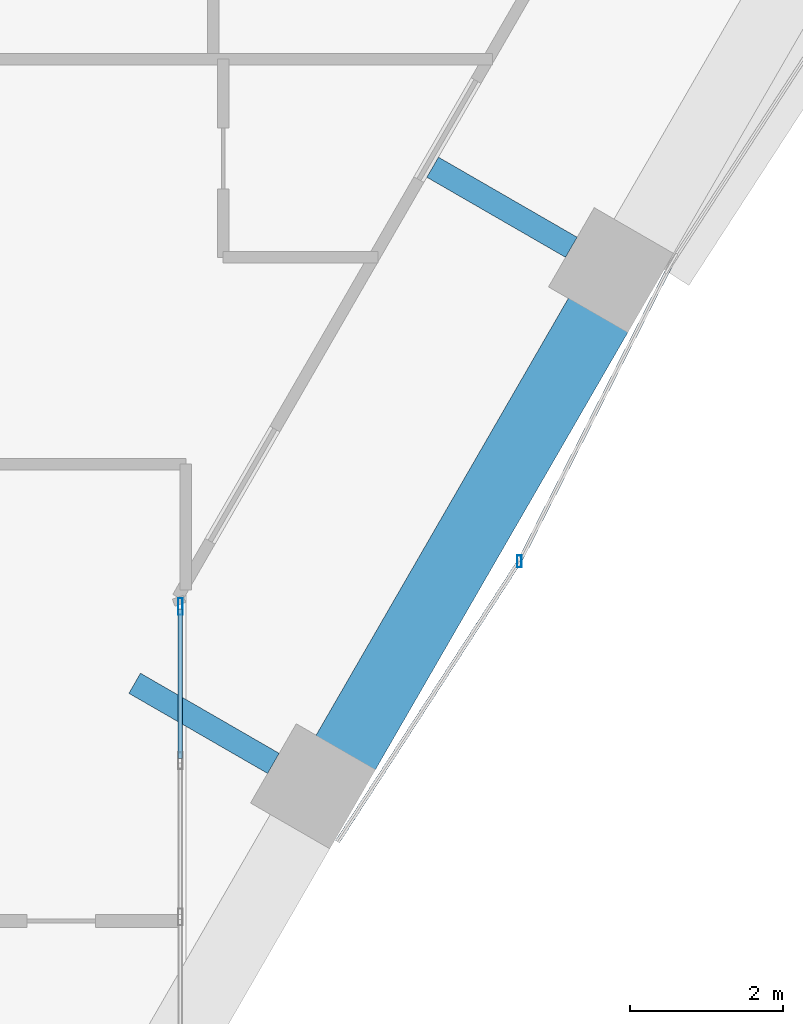
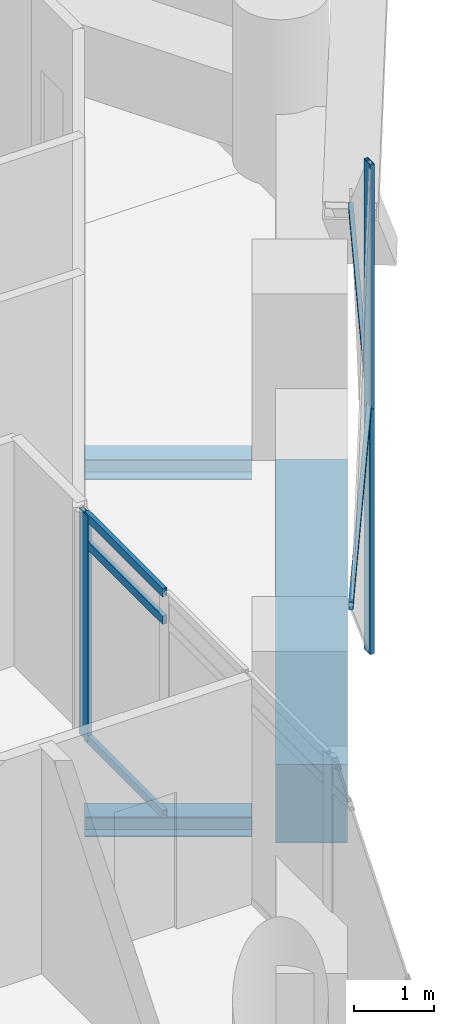
# One storey, part 12 of 36: 8 members, 3 beams, 3 elements without a shape of their own.
"""IFC4 building model written with IfcOpenShell, lengths in metres."""

import ifcopenshell
import ifcopenshell.guid

model = None  # the IFC model being written
_history = None  # IfcOwnerHistory: only IFC2X3 demands one
_inside = {}  # id of a spatial element -> (the spatial element, [elements in it])
_under = {}  # id of a project, library or spatial element -> (it, [spatial elements below it])
_declared = {}  # id of a project -> (the project, [libraries it declares])
_typed = {}  # id of a type object -> (the type object, [elements of that type])
_made_of = {}  # id of a material, layer set ... -> (it, [elements and type objects made of it])


def new_model(schema):
    """Start an empty IFC model of exactly this schema.

    Asked for "IFC4X3", IfcOpenShell would pick the latest addendum, in which some entities
    have other attributes; the version numbers below select the first issue.
    IFC2X3 requires an IfcOwnerHistory on every rooted entity: one is made here for all.
    """
    global model, _history
    if schema == "IFC4X3":
        model = ifcopenshell.file(schema_version=(4, 3, 0, 0))
    else:
        model = ifcopenshell.file(schema=schema)
    _inside.clear()
    _under.clear()
    _declared.clear()
    _typed.clear()
    _made_of.clear()
    _history = None
    if model.schema == "IFC2X3":
        org = make("IfcOrganization", Name="unknown")
        user = make(
            "IfcPersonAndOrganization",
            ThePerson=make("IfcPerson", FamilyName="unknown"),
            TheOrganization=org,
        )
        app = make(
            "IfcApplication",
            ApplicationDeveloper=org,
            Version="unknown",
            ApplicationFullName="unknown",
            ApplicationIdentifier="unknown",
        )
        _history = make(
            "IfcOwnerHistory",
            OwningUser=user,
            OwningApplication=app,
            ChangeAction="ADDED",
            CreationDate=0,
        )
    return model


def make(cls, **values):
    """One entity of the class cls with the attributes given. An attribute that is None is left unset."""
    return model.create_entity(
        cls, **{name: value for name, value in values.items() if value is not None}
    )


def rooted(cls, **values):
    """An entity with a GlobalId (a new one), such as an element, a storey or a relation."""
    return make(cls, GlobalId=ifcopenshell.guid.new(), OwnerHistory=_history, **values)


def si_unit(unit_type, name, prefix=None):
    """IfcSIUnit, for example si_unit("LENGTHUNIT", "METRE", prefix="MILLI")."""
    return make("IfcSIUnit", UnitType=unit_type, Prefix=prefix, Name=name)


def assignment(units):
    """IfcUnitAssignment: the units of a project."""
    return None if units is None else make("IfcUnitAssignment", Units=units)


def point(xyz):
    """IfcCartesianPoint."""
    return None if xyz is None else make("IfcCartesianPoint", Coordinates=xyz)


def direction(xyz):
    """IfcDirection."""
    return None if xyz is None else make("IfcDirection", DirectionRatios=xyz)


def frame(location, z_axis=None, x_axis=None):
    """IfcAxis2Placement3D, a coordinate frame: its origin and axes. An axis left out is left unset."""
    return make(
        "IfcAxis2Placement3D",
        Location=point(location),
        Axis=direction(z_axis),
        RefDirection=direction(x_axis),
    )


def frame_2d(location, x_axis=None):
    """IfcAxis2Placement2D, a coordinate frame in the plane: its origin and x axis."""
    return make(
        "IfcAxis2Placement2D", Location=point(location), RefDirection=direction(x_axis)
    )


def origin():
    """The frame at (0, 0, 0) with its axes left unset."""
    return frame((0.0, 0.0, 0.0))


def origin_2d():
    """The frame at (0, 0) in the plane with its x axis left unset."""
    return frame_2d((0.0, 0.0))


def place(relative_to, where):
    """IfcLocalPlacement: puts the frame where relative to a parent placement (None: the world)."""
    return make(
        "IfcLocalPlacement", PlacementRelTo=relative_to, RelativePlacement=where
    )


def context(
    kind, dimensions, precision=None, world=None, true_north=None, identifier=None
):
    """IfcGeometricRepresentationContext, for example the 3D "Model" context."""
    return make(
        "IfcGeometricRepresentationContext",
        ContextIdentifier=identifier,
        ContextType=kind,
        CoordinateSpaceDimension=dimensions,
        Precision=precision,
        WorldCoordinateSystem=world,
        TrueNorth=true_north,
    )


def subcontext(parent, identifier, kind, view, scale=None):
    """IfcGeometricRepresentationSubContext, for example "Body" below "Model"."""
    return make(
        "IfcGeometricRepresentationSubContext",
        ContextIdentifier=identifier,
        ContextType=kind,
        ParentContext=parent,
        TargetScale=scale,
        TargetView=view,
    )


def project(units=None, contexts=None):
    """IfcProject with its units and contexts."""
    return rooted(
        "IfcProject",
        Name="project",
        RepresentationContexts=contexts,
        UnitsInContext=assignment(units),
    )


def spatial(cls, under=None, at=None, **own):
    """A site, building, storey or space (cls), placed at a placement, below another one or the project."""
    s = rooted(cls, ObjectPlacement=at, **own)
    if under is not None:
        _under.setdefault(under.id(), (under, []))[1].append(s)
    return s


def profile(cls, at=None, kind="AREA", **sizes):
    """A parametric profile (cls). Its sizes go by their IFC names, for example OverallWidth=200.0."""
    return make(cls, ProfileType=kind, Position=at, **sizes)


def rectangle(**sizes):
    """IfcRectangleProfileDef."""
    return profile("IfcRectangleProfileDef", **sizes)


def hollow_rectangle(**sizes):
    """IfcRectangleHollowProfileDef."""
    return profile("IfcRectangleHollowProfileDef", **sizes)


def i_section(**sizes):
    """IfcIShapeProfileDef."""
    return profile("IfcIShapeProfileDef", **sizes)


def extrude(swept, where, along, depth):
    """IfcExtrudedAreaSolid: the profile swept, set in the frame where, extruded along a direction by depth."""
    return make(
        "IfcExtrudedAreaSolid",
        SweptArea=swept,
        Position=where,
        ExtrudedDirection=direction(along),
        Depth=depth,
    )


def shape(context_of_items, identifier, shape_type, items):
    """IfcShapeRepresentation: the items that make up one representation, for example the "Body"."""
    return make(
        "IfcShapeRepresentation",
        ContextOfItems=context_of_items,
        RepresentationIdentifier=identifier,
        RepresentationType=shape_type,
        Items=items,
    )


def material(Name=None, Category=None):
    """IfcMaterial."""
    return make("IfcMaterial", Name=Name, Category=Category)


def material_profile(
    of_material, cross_section, Name=None, Category=None, Priority=None
):
    """IfcMaterialProfile: a cross section and its material."""
    return make(
        "IfcMaterialProfile",
        Name=Name,
        Material=of_material,
        Profile=cross_section,
        Priority=Priority,
        Category=Category,
    )


def profile_set(profiles, Name=None, composite=None):
    """IfcMaterialProfileSet."""
    return make(
        "IfcMaterialProfileSet",
        Name=Name,
        MaterialProfiles=profiles,
        CompositeProfile=composite,
    )


def made_of(thing, what):
    """Note that an element or type object is made of a material, layer set ...; save() writes the relation."""
    if what is not None:
        _made_of.setdefault(what.id(), (what, []))[1].append(thing)
    return thing


def type_object(cls, material=None, **own):
    """A type object (cls), such as IfcWallType, which elements share."""
    return made_of(rooted(cls, **own), material)


def element(
    cls,
    number,
    at=None,
    inside=None,
    cuts=None,
    type_object=None,
    material=None,
    context=None,
    identifier="Body",
    shape_type=None,
    held_by="IfcProductDefinitionShape",
    body=None,
    shapes=None,
    **own,
):
    """One element of the class cls, such as IfcWall. Its Tag is "e" and its number.

    at: its placement. inside: the storey or other place that contains it. cuts: it is an
    opening in that element (IfcRelVoidsElement). A single representation is given by context,
    identifier, shape_type and body (its items); several are given by shapes. held_by: the class
    of the entity that holds the representations. save() writes the other relations.
    """
    e = rooted(cls, Tag="e%d" % number, ObjectPlacement=at, **own)
    if body is not None:
        shapes = [shape(context, identifier, shape_type, body)]
    if shapes is not None:
        e.Representation = make(held_by, Representations=shapes)
    if inside is not None:
        _inside.setdefault(inside.id(), (inside, []))[1].append(e)
    if cuts is not None:
        rooted(
            "IfcRelVoidsElement", RelatingBuildingElement=cuts, RelatedOpeningElement=e
        )
    if type_object is not None:
        _typed.setdefault(type_object.id(), (type_object, []))[1].append(e)
    return made_of(e, material)


def aggregate(whole, parts):
    """IfcRelAggregates: a whole, such as a stair, and the parts it consists of."""
    return rooted("IfcRelAggregates", RelatingObject=whole, RelatedObjects=parts)


def save(model, path):
    """Write the relations noted so far, then the file.

    IfcRelAggregates (storeys below a building ...), IfcRelContainedInSpatialStructure (elements
    in a storey), IfcRelDefinesByType, IfcRelAssociatesMaterial and IfcRelDeclares: one each for
    every whole, place, type object, material and project.
    """
    for whole, parts in _under.values():
        aggregate(whole, parts)
    for where, things in _inside.values():
        rooted(
            "IfcRelContainedInSpatialStructure",
            RelatedElements=things,
            RelatingStructure=where,
        )
    for kind, things in _typed.values():
        rooted("IfcRelDefinesByType", RelatedObjects=things, RelatingType=kind)
    for what, things in _made_of.values():
        rooted("IfcRelAssociatesMaterial", RelatedObjects=things, RelatingMaterial=what)
    for by, libraries in _declared.values():
        rooted("IfcRelDeclares", RelatingContext=by, RelatedDefinitions=libraries)
    model.write(path)


model = new_model("IFC4")

# Units and contexts
model_context = context("Model", 3, precision=1e-05, world=origin(), true_north=direction((0.0, 1.0)))
body_context = subcontext(model_context, "Body", "Model", "MODEL_VIEW")
ifc_project = project(units=[si_unit("LENGTHUNIT", "METRE"), si_unit("AREAUNIT", "SQUARE_METRE"), si_unit("VOLUMEUNIT", "CUBIC_METRE"), si_unit("PLANEANGLEUNIT", "RADIAN"), si_unit("MASSUNIT", "GRAM", prefix="KILO")], contexts=[model_context])

# Site, building, storey
site_placement = place(None, origin())
site = spatial("IfcSite", under=ifc_project, at=site_placement, CompositionType="ELEMENT")
building_placement = place(site_placement, origin())
building = spatial("IfcBuilding", under=site, at=building_placement, Name="Ostrander Bayou Hotel Tower", CompositionType="ELEMENT")
storey_placement = place(building_placement, frame((0.0, 0.0, 138.5)))
storey = spatial("IfcBuildingStorey", under=building, at=storey_placement, Name="L34", CompositionType="ELEMENT", Elevation=138.5)

# Curtain wall, members
ifc_material_1 = material(Name="Aluminium and clear glass", Category="aluminium")
curtain_wall_type_1 = type_object("IfcCurtainWallType", Name="CW-BAR glazed wall", PredefinedType="NOTDEFINED", material=ifc_material_1)
curtain_wall_1_placement = place(storey_placement, origin())
curtain_wall_1 = element("IfcCurtainWall", 1, at=curtain_wall_1_placement, inside=storey, type_object=curtain_wall_type_1, Name="CW-BAR L34:SB3S:W", PredefinedType="NOTDEFINED")
ifc_material_2 = material(Name="Aluminium", Category="aluminium")
ifc_material_profile_1 = material_profile(ifc_material_2, hollow_rectangle(XDim=0.06005859375, YDim=0.219970703125, WallThickness=0.00390625, at=origin_2d()))
ifc_profile_set_1 = profile_set([ifc_material_profile_1], Name="Aluminium")
member_type_1 = type_object("IfcMemberType", Name="CW-BR mullion 60 x 220 mm", PredefinedType="MULLION", material=ifc_profile_set_1)
member_1_placement = place(storey_placement, frame((13.3671875, -10.877197265625, 0.0), z_axis=(0.0, 0.0, 1.0), x_axis=(1.0, 0.0, 0.0)))
member_1 = element("IfcMember", 2, at=member_1_placement, type_object=member_type_1, Name="CW-BAR mullion 1", PredefinedType="MULLION", context=body_context, shape_type="SweptSolid", body=[
    extrude(hollow_rectangle(XDim=0.06005859375, YDim=0.219970703125, WallThickness=0.00390625, at=origin_2d()), origin(), (0.0, 0.0, 1.0), 3.449951171875),
])
ifc_material_3 = material(Name="Aluminium", Category="aluminium")
ifc_material_profile_2 = material_profile(ifc_material_3, hollow_rectangle(XDim=0.06005859375, YDim=0.1298828125, WallThickness=0.00390625, at=origin_2d()))
ifc_profile_set_2 = profile_set([ifc_material_profile_2], Name="Aluminium")
member_type_2 = type_object("IfcMemberType", Name="CW-BR transom 60 x 130 mm", PredefinedType="USERDEFINED", material=ifc_profile_set_2)
member_2_placement = place(storey_placement, frame((13.3671875, -10.9072265625, 0.030029296875), z_axis=(0.0, -1.0, 0.0), x_axis=(1.0, 0.0, 0.0)))
member_2 = element("IfcMember", 3, at=member_2_placement, type_object=member_type_2, Name="CW-BAR transom 1.1", ObjectType="TRANSOM", PredefinedType="USERDEFINED", context=body_context, shape_type="SweptSolid", body=[
    extrude(hollow_rectangle(XDim=0.06005859375, YDim=0.1298828125, WallThickness=0.00390625, at=origin_2d()), origin(), (0.0, 0.0, 1.0), 1.960205078125),
])
member_3_placement = place(storey_placement, frame((13.3671875, -10.9072265625, 3.0), z_axis=(0.0, -1.0, 0.0), x_axis=(1.0, 0.0, 0.0)))
member_3 = element("IfcMember", 4, at=member_3_placement, type_object=member_type_2, Name="CW-BAR transom 1.2", ObjectType="TRANSOM", PredefinedType="USERDEFINED", context=body_context, shape_type="SweptSolid", body=[
    extrude(hollow_rectangle(XDim=0.06005859375, YDim=0.1298828125, WallThickness=0.00390625, at=origin_2d()), origin(), (0.0, 0.0, 1.0), 1.960205078125),
])
member_4_placement = place(storey_placement, frame((13.3671875, -10.9072265625, 3.419921875), z_axis=(0.0, -1.0, 0.0), x_axis=(1.0, 0.0, 0.0)))
member_4 = element("IfcMember", 5, at=member_4_placement, type_object=member_type_2, Name="CW-BAR transom 1.3", ObjectType="TRANSOM", PredefinedType="USERDEFINED", context=body_context, shape_type="SweptSolid", body=[
    extrude(hollow_rectangle(XDim=0.06005859375, YDim=0.1298828125, WallThickness=0.00390625, at=origin_2d()), origin(), (0.0, 0.0, 1.0), 1.960205078125),
])
aggregate(curtain_wall_1, [member_1, member_2, member_3, member_4])

ifc_material_4 = material(Name="Aluminium and clear glass", Category="aluminium")
curtain_wall_type_2 = type_object("IfcCurtainWallType", Name="CW-LAT lattice glazing", PredefinedType="NOTDEFINED", material=ifc_material_4)
curtain_wall_2_placement = place(storey_placement, origin())
curtain_wall_2 = element("IfcCurtainWall", 6, at=curtain_wall_2_placement, inside=storey, type_object=curtain_wall_type_2, Name="CW-LAT L34 SE 1", PredefinedType="NOTDEFINED")
ifc_material_5 = material(Name="Aluminium", Category="aluminium")
ifc_material_profile_3 = material_profile(ifc_material_5, hollow_rectangle(XDim=0.06005859375, YDim=0.159912109375, WallThickness=0.00390625, at=origin_2d()))
ifc_profile_set_3 = profile_set([ifc_material_profile_3], Name="Aluminium")
member_type_3 = type_object("IfcMemberType", Name="CW-LA mullion 60 x 160 mm", PredefinedType="MULLION", material=ifc_profile_set_3)
member_5_placement = place(storey_placement, frame((17.814208984375, -10.284912109375, -0.60009765625), z_axis=(0.0, 0.0, 1.0), x_axis=(1.0, 0.0, 0.0)))
member_5 = element("IfcMember", 7, at=member_5_placement, type_object=member_type_3, Name="CW-LAT mullion 1", PredefinedType="MULLION", context=body_context, shape_type="SweptSolid", body=[
    extrude(hollow_rectangle(XDim=0.06005859375, YDim=0.159912109375, WallThickness=0.00390625, at=origin_2d()), origin(), (0.0, 0.0, 1.0), 3.75),
])
member_6_placement = place(storey_placement, frame((17.814208984375, -10.284912109375, 3.14990234375), z_axis=(0.0, 0.0, 1.0), x_axis=(1.0, 0.0, 0.0)))
member_6 = element("IfcMember", 8, at=member_6_placement, type_object=member_type_3, Name="CW-LAT mullion 2", PredefinedType="MULLION", context=body_context, shape_type="SweptSolid", body=[
    extrude(hollow_rectangle(XDim=0.06005859375, YDim=0.159912109375, WallThickness=0.00390625, at=origin_2d()), origin(), (0.0, 0.0, 1.0), 3.75),
])
aggregate(curtain_wall_2, [member_5, member_6])

curtain_wall_3_placement = place(storey_placement, origin())
curtain_wall_3 = element("IfcCurtainWall", 9, at=curtain_wall_3_placement, inside=storey, type_object=curtain_wall_type_2, Name="CW-LAT L34 SE 2", PredefinedType="NOTDEFINED")
ifc_material_6 = material(Name="Aluminium", Category="aluminium")
ifc_material_profile_4 = material_profile(ifc_material_6, hollow_rectangle(XDim=0.06005859375, YDim=0.1201171875, WallThickness=0.00390625, at=origin_2d()))
ifc_profile_set_4 = profile_set([ifc_material_profile_4], Name="Aluminium")
member_type_4 = type_object("IfcMemberType", Name="CW-LA transom 60 x 120 mm", PredefinedType="USERDEFINED", material=ifc_profile_set_4)
member_7_placement = place(storey_placement, frame((17.814208984375, -10.284912109375, 3.14990234375), z_axis=(-0.544641587988, -0.83866891002, 0.0), x_axis=(0.83866891002, -0.544641587988, 0.0)))
member_7 = element("IfcMember", 10, at=member_7_placement, type_object=member_type_4, Name="CW-LAT transom 3", ObjectType="TRANSOM", PredefinedType="USERDEFINED", context=body_context, shape_type="SweptSolid", body=[
    extrude(hollow_rectangle(XDim=0.06005859375, YDim=0.1201171875, WallThickness=0.00390625, at=origin_2d()), origin(), (0.0, 0.0, 1.0), 4.380859375),
])
member_8_placement = place(storey_placement, frame((17.814208984375, -10.284912109375, 3.14990234375), z_axis=(0.454000085104, 0.891001640136, 0.0), x_axis=(-0.891001640136, 0.454000085104, 0.0)))
member_8 = element("IfcMember", 11, at=member_8_placement, type_object=member_type_4, Name="CW-LAT transom 4", ObjectType="TRANSOM", PredefinedType="USERDEFINED", context=body_context, shape_type="SweptSolid", body=[
    extrude(hollow_rectangle(XDim=0.06005859375, YDim=0.1201171875, WallThickness=0.00390625, at=origin_2d()), origin(), (0.0, 0.0, 1.0), 4.380615234375),
])
aggregate(curtain_wall_3, [member_7, member_8])

# Beams
ifc_material_7 = material(Name="Steel ASTM A992", Category="steel")
ifc_material_profile_5 = material_profile(ifc_material_7, i_section(OverallWidth=0.3046875, OverallDepth=0.307861328125, WebThickness=0.010009765625, FlangeThickness=0.015380859375, at=origin_2d()))
ifc_profile_set_5 = profile_set([ifc_material_profile_5], Name="Steel ASTM A992")
beam_type_1 = type_object("IfcBeamType", Name="LB1 loggia bracket W12x65", PredefinedType="BEAM", material=ifc_profile_set_5)
for number, where, z_axis, x_axis, name in (
    (12, (14.587646484375, -12.933349609375, -0.453857421875), (-0.866009402589, 0.500027713859, 0.0), (-0.500027713859, -0.866009402589, 0.0), "LB1 L34 SE1"),
    (13, (18.494384765625, -6.166748046875, -0.453857421875), (-0.866009402589, 0.500027713859, 0.0), (-0.500027713859, -0.866009402589, 0.0), "LB1 L34 SE2"),
):
    element("IfcBeam", number, at=place(storey_placement, frame(where, z_axis=z_axis, x_axis=x_axis)), inside=storey, type_object=beam_type_1, Name=name, PredefinedType="BEAM", context=body_context, shape_type="SweptSolid", body=[
        extrude(i_section(OverallWidth=0.3046875, OverallDepth=0.307861328125, WebThickness=0.010009765625, FlangeThickness=0.015380859375, at=origin_2d()), origin(), (0.0, 0.0, 1.0), 2.10009765625),
    ])
ifc_material_8 = material(Name="Concrete f'c 70 MPa", Category="concrete")
ifc_material_profile_6 = material_profile(ifc_material_8, rectangle(XDim=0.89990234375, YDim=1.199951171875, at=origin_2d()))
ifc_profile_set_6 = profile_set([ifc_material_profile_6], Name="Concrete f'c 70 MPa")
beam_type_2 = type_object("IfcBeamType", Name="SP2 spandrel beam 900 x 1200 mm f'c 70 MPa", PredefinedType="SPANDREL", material=ifc_profile_set_6)
beam_placement = place(storey_placement, frame((15.522216796875, -12.814697265625, -0.60009765625), z_axis=(0.499999023957, 0.866025967302, 0.0), x_axis=(-0.866025967302, 0.499999023957, 0.0)))
element("IfcBeam", 14, at=beam_placement, inside=storey, type_object=beam_type_2, Name="SP2 L34 SE-2", PredefinedType="SPANDREL", context=body_context, shape_type="SweptSolid", body=[
    extrude(rectangle(XDim=0.89990234375, YDim=1.199951171875, at=origin_2d()), origin(), (0.0, 0.0, 1.0), 6.67333984375),
])

save(model, "model.ifc")
